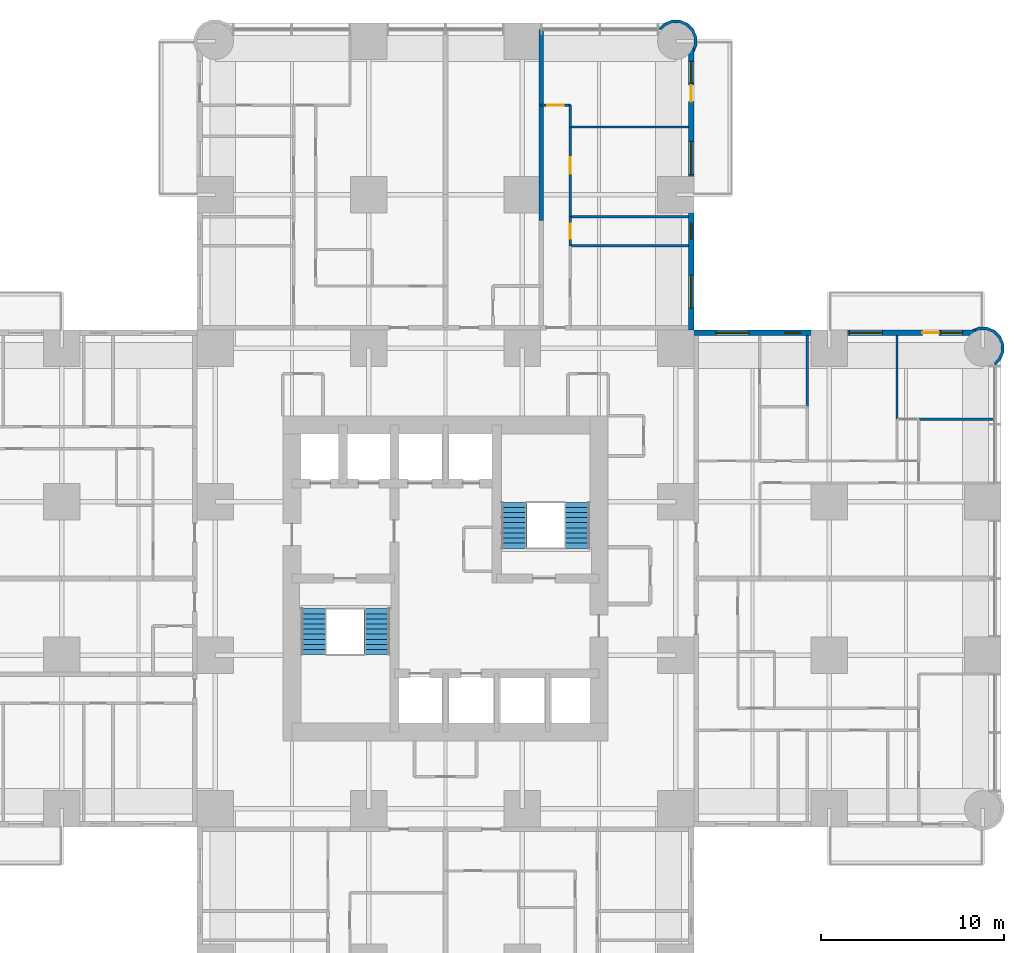
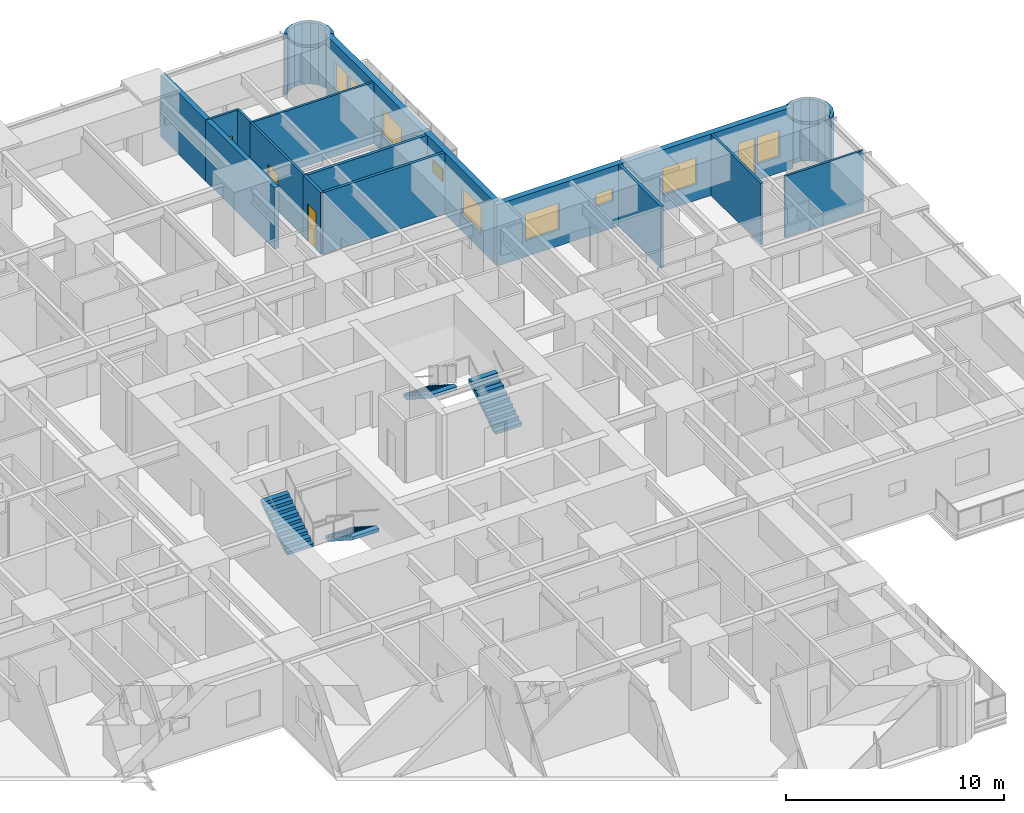
# One storey, part 15 of 17: 16 walls, 8 windows, 5 doors, 4 stair flights, 13 openings, 2 elements without a shape of their own.
"""IFC4 building model written with IfcOpenShell, lengths in metres."""

from ifc_helpers import new_model, si_unit, direction, frame, frame_2d, origin, place, context, subcontext, project, spatial, polyline, rectangle, outline, extrude, material, layer, layer_set, type_object, element, fill, aggregate, save


model = new_model("IFC4")

# Units and contexts
model_context = context("Model", 3, precision=1e-05, world=origin(), true_north=direction((0.0, 1.0)))
body_context = subcontext(model_context, "Body", "Model", "MODEL_VIEW")
ifc_project = project(units=[si_unit("LENGTHUNIT", "METRE"), si_unit("AREAUNIT", "SQUARE_METRE"), si_unit("VOLUMEUNIT", "CUBIC_METRE"), si_unit("PLANEANGLEUNIT", "RADIAN"), si_unit("MASSUNIT", "GRAM", prefix="KILO")], contexts=[model_context])

# Site, building, storey
site_placement = place(None, origin())
site = spatial("IfcSite", under=ifc_project, at=site_placement, CompositionType="ELEMENT")
building_placement = place(site_placement, origin())
building = spatial("IfcBuilding", under=site, at=building_placement, Name="Torre Alcanfor", CompositionType="ELEMENT")
storey_placement = place(building_placement, frame((0.0, 0.0, 95.699951171875)))
storey = spatial("IfcBuildingStorey", under=building, at=storey_placement, Name="L24", CompositionType="ELEMENT", Elevation=95.699951171875)

# Wall, opening, door
ifc_material_1 = material(Name="Gypsum board on steel studs", Category="steel")
ifc_layer_1 = layer(ifc_material_1, 0.1201171875)
ifc_layer_set_1 = layer_set([ifc_layer_1], Name="Apartment partition 120")
wall_type_1 = type_object("IfcWallType", Name="Apartment partition 120", PredefinedType="PARTITIONING", material=ifc_layer_set_1)
wall_1_placement = place(storey_placement, frame((36.22900390625, 54.10009765625, 0.0), z_axis=(0.0, 0.0, 1.0), x_axis=(0.0, -1.0, 0.0)))
wall_1 = element("IfcWall", 1, at=wall_1_placement, inside=storey, type_object=wall_type_1, Name="Partition L24-N2B-HALL / L24-N2B-MASTER", PredefinedType="PARTITIONING", context=body_context, shape_type="SweptSolid", body=[
    extrude(rectangle(XDim=4.900146484375, YDim=0.1201171875, at=frame_2d((2.4501953125, 0.0))), origin(), (0.0, 0.0, 1.0), 3.449951171875),
])
opening_1_placement = place(wall_1_placement, frame((1.64990234375, 0.0, 0.0)))
opening_1 = element("IfcOpeningElement", 2, at=opening_1_placement, cuts=wall_1, Name="Opening D-R1", PredefinedType="OPENING", context=body_context, shape_type="SweptSolid", body=[
    extrude(rectangle(XDim=0.89990234375, YDim=2.10009765625, at=frame_2d((0.449951171875, 1.050048828125))), frame((0.0, 0.070068359375, 0.0), z_axis=(0.0, -1.0, 0.0), x_axis=(1.0, 0.0, 0.0)), (0.0, 0.0, 1.0), 0.14013671875),
])
ifc_material_2 = material(Name="Timber", Category="wood")
door_type_1 = type_object("IfcDoorType", Name="Internal door 900x2100", OperationType="SINGLE_SWING_LEFT", PredefinedType="DOOR", material=ifc_material_2)
door_1_placement = place(opening_1_placement, origin())
door_1 = element("IfcDoor", 3, at=door_1_placement, inside=storey, type_object=door_type_1, Name="Door L24-N2B master", OperationType="SINGLE_SWING_LEFT", OverallHeight=2.10009765625, OverallWidth=0.89990234375, PredefinedType="DOOR", context=body_context, shape_type="SweptSolid", body=[
    extrude(rectangle(XDim=0.89990234375, YDim=2.10009765625, at=frame_2d((0.449951171875, 1.050048828125))), frame((0.0, 0.02490234375, 0.0), z_axis=(0.0, -1.0, 0.0), x_axis=(1.0, 0.0, 0.0)), (0.0, 0.0, 1.0), 0.050048828125),
])
fill(opening_1, door_1)

# Wall
wall_2_placement = place(storey_placement, frame((36.22900390625, 55.300048828125, 0.0), z_axis=(0.0, 0.0, 1.0), x_axis=(0.0, -1.0, 0.0)))
element("IfcWall", 4, at=wall_2_placement, inside=storey, type_object=wall_type_1, Name="Partition L24-N2B-HALL / L24-N2B-KITCHEN", PredefinedType="PARTITIONING", context=body_context, shape_type="SweptSolid", body=[
    extrude(rectangle(XDim=1.199951171875, YDim=0.1201171875, at=frame_2d((0.60009765625, 0.0))), origin(), (0.0, 0.0, 1.0), 3.449951171875),
])

# Wall, opening, door
wall_3_placement = place(storey_placement, frame((34.62890625, 55.300048828125, 0.0), z_axis=(0.0, 0.0, 1.0), x_axis=(1.0, 0.0, 0.0)))
wall_3 = element("IfcWall", 5, at=wall_3_placement, inside=storey, type_object=wall_type_1, Name="Partition L24-N2B-HALL / L24-N2B-LIVING", PredefinedType="PARTITIONING", context=body_context, shape_type="SweptSolid", body=[
    extrude(rectangle(XDim=1.60009765625, YDim=0.1201171875, at=frame_2d((0.800048828125, 0.0))), origin(), (0.0, 0.0, 1.0), 3.449951171875),
])
opening_2_placement = place(wall_3_placement, frame((0.35009765625, 0.0, 0.0)))
opening_2 = element("IfcOpeningElement", 6, at=opening_2_placement, cuts=wall_3, Name="Opening D-R1", PredefinedType="OPENING", context=body_context, shape_type="SweptSolid", body=[
    extrude(rectangle(XDim=0.89990234375, YDim=2.10009765625, at=frame_2d((0.449951171875, 1.050048828125))), frame((0.0, 0.070068359375, 0.0), z_axis=(0.0, -1.0, 0.0), x_axis=(1.0, 0.0, 0.0)), (0.0, 0.0, 1.0), 0.14013671875),
])
door_2_placement = place(opening_2_placement, origin())
door_2 = element("IfcDoor", 7, at=door_2_placement, inside=storey, type_object=door_type_1, Name="Door L24-N2B living", OperationType="SINGLE_SWING_LEFT", OverallHeight=2.10009765625, OverallWidth=0.89990234375, PredefinedType="DOOR", context=body_context, shape_type="SweptSolid", body=[
    extrude(rectangle(XDim=0.89990234375, YDim=2.10009765625, at=frame_2d((0.449951171875, 1.050048828125))), frame((0.0, 0.02490234375, 0.0), z_axis=(0.0, -1.0, 0.0), x_axis=(1.0, 0.0, 0.0)), (0.0, 0.0, 1.0), 0.050048828125),
])
fill(opening_2, door_2)

# Walls
wall_4_placement = place(storey_placement, frame((36.22900390625, 54.10009765625, 0.0), z_axis=(0.0, 0.0, 1.0), x_axis=(1.0, 0.0, 0.0)))
element("IfcWall", 8, at=wall_4_placement, inside=storey, type_object=wall_type_1, Name="Partition L24-N2B-MASTER / L24-N2B-KITCHEN", PredefinedType="PARTITIONING", context=body_context, shape_type="SweptSolid", body=[
    extrude(rectangle(XDim=6.470947265625, YDim=0.1201171875, at=frame_2d((3.2353515625, 0.0))), origin(), (0.0, 0.0, 1.0), 3.449951171875),
])
wall_5_placement = place(storey_placement, frame((54.10009765625, 38.114013671875, 0.0), z_axis=(0.0, 0.0, 1.0), x_axis=(0.0, 1.0, 0.0)))
element("IfcWall", 9, at=wall_5_placement, inside=storey, type_object=wall_type_1, Name="Partition L24-E1-BED3 / L24-E1-MASTER", PredefinedType="PARTITIONING", context=body_context, shape_type="SweptSolid", body=[
    extrude(rectangle(XDim=4.5859375, YDim=0.1201171875, at=frame_2d((2.29296875, 0.0))), origin(), (0.0, 0.0, 1.0), 3.449951171875),
])
wall_6_placement = place(storey_placement, frame((59.449951171875, 38.114013671875, 0.0), z_axis=(0.0, 0.0, 1.0), x_axis=(-1.0, 0.0, 0.0)))
element("IfcWall", 10, at=wall_6_placement, inside=storey, type_object=wall_type_1, Name="Partition L24-E1-BED2 / L24-E1-MASTER", PredefinedType="PARTITIONING", context=body_context, shape_type="SweptSolid", body=[
    extrude(rectangle(XDim=4.14990234375, YDim=0.1201171875, at=frame_2d((2.074951171875, 0.0))), origin(), (0.0, 0.0, 1.0), 3.449951171875),
])

# Wall, openings, door, windows
ifc_material_3 = material(Name="Limestone cladding", Category="masonry")
ifc_layer_2 = layer(ifc_material_3, 0.0400390625, Name="Facing")
ifc_material_4 = material(Name="Ventilated air cavity")
ifc_layer_3 = layer(ifc_material_4, 0.02001953125, ventilated=True, Name="Ventilated joint")
ifc_material_5 = material(Name="Mineral wool insulation", Category="insulation")
ifc_layer_4 = layer(ifc_material_5, 0.10009765625, Name="Insulation")
ifc_material_6 = material(Name="Concrete f'c 35 MPa", Category="concrete")
ifc_layer_5 = layer(ifc_material_6, 0.139892578125, Name="Backing")
ifc_layer_set_2 = layer_set([ifc_layer_2, ifc_layer_3, ifc_layer_4, ifc_layer_5], Name="External wall stone-clad 300")
wall_type_2 = type_object("IfcWallType", Name="External wall stone-clad 300", PredefinedType="SOLIDWALL", material=ifc_layer_set_2)
wall_7_placement = place(storey_placement, frame((58.39990234375, 42.85009765625, 0.0), z_axis=(0.0, 0.0, 1.0), x_axis=(-1.0, 0.0, 0.0)))
wall_7 = element("IfcWall", 11, at=wall_7_placement, inside=storey, type_object=wall_type_2, Name="External wall L24 9", PredefinedType="SOLIDWALL", context=body_context, shape_type="SweptSolid", body=[
    extrude(rectangle(XDim=15.699951171875, YDim=0.300048828125, at=frame_2d((7.85009765625, 0.0))), origin(), (0.0, 0.0, 1.0), 3.449951171875),
])
opening_3_placement = place(wall_7_placement, frame((12.39990234375, 0.0, 0.89990234375)))
opening_3 = element("IfcOpeningElement", 12, at=opening_3_placement, cuts=wall_7, Name="Opening W2", PredefinedType="OPENING", context=body_context, shape_type="SweptSolid", body=[
    extrude(rectangle(XDim=1.800048828125, YDim=1.5, at=frame_2d((0.89990234375, 0.75))), frame((0.0, 0.159912109375, 0.0), z_axis=(0.0, -1.0, 0.0), x_axis=(1.0, 0.0, 0.0)), (0.0, 0.0, 1.0), 0.320068359375),
])
opening_4_placement = place(wall_7_placement, frame((9.550048828125, 0.0, 1.5)))
opening_4 = element("IfcOpeningElement", 13, at=opening_4_placement, cuts=wall_7, Name="Opening W3", PredefinedType="OPENING", context=body_context, shape_type="SweptSolid", body=[
    extrude(rectangle(XDim=0.89990234375, YDim=0.699951171875, at=frame_2d((0.449951171875, 0.35009765625))), frame((0.0, 0.159912109375, 0.0), z_axis=(0.0, -1.0, 0.0), x_axis=(1.0, 0.0, 0.0)), (0.0, 0.0, 1.0), 0.320068359375),
])
opening_5_placement = place(wall_7_placement, frame((5.10009765625, 0.0, 0.89990234375)))
opening_5 = element("IfcOpeningElement", 14, at=opening_5_placement, cuts=wall_7, Name="Opening W2", PredefinedType="OPENING", context=body_context, shape_type="SweptSolid", body=[
    extrude(rectangle(XDim=1.800048828125, YDim=1.5, at=frame_2d((0.89990234375, 0.75))), frame((0.0, 0.159912109375, 0.0), z_axis=(0.0, -1.0, 0.0), x_axis=(1.0, 0.0, 0.0)), (0.0, 0.0, 1.0), 0.320068359375),
])
opening_6_placement = place(wall_7_placement, frame((2.0, 0.0, 0.0)))
opening_6 = element("IfcOpeningElement", 15, at=opening_6_placement, cuts=wall_7, Name="Opening D-B1", PredefinedType="OPENING", context=body_context, shape_type="SweptSolid", body=[
    extrude(rectangle(XDim=0.89990234375, YDim=2.39990234375, at=frame_2d((0.449951171875, 1.199951171875))), frame((0.0, 0.159912109375, 0.0), z_axis=(0.0, -1.0, 0.0), x_axis=(1.0, 0.0, 0.0)), (0.0, 0.0, 1.0), 0.320068359375),
])
opening_7_placement = place(wall_7_placement, frame((0.699951171875, 0.0, 0.89990234375)))
opening_7 = element("IfcOpeningElement", 16, at=opening_7_placement, cuts=wall_7, Name="Opening W4", PredefinedType="OPENING", context=body_context, shape_type="SweptSolid", body=[
    extrude(rectangle(XDim=1.199951171875, YDim=1.5, at=frame_2d((0.60009765625, 0.75))), frame((0.0, 0.159912109375, 0.0), z_axis=(0.0, -1.0, 0.0), x_axis=(1.0, 0.0, 0.0)), (0.0, 0.0, 1.0), 0.320068359375),
])
ifc_material_7 = material(Name="Aluminium and glass", Category="aluminium")
door_type_2 = type_object("IfcDoorType", Name="Balcony door glazed 900x2400", OperationType="SINGLE_SWING_LEFT", PredefinedType="DOOR", material=ifc_material_7)
door_3_placement = place(opening_6_placement, origin())
door_3 = element("IfcDoor", 17, at=door_3_placement, inside=storey, type_object=door_type_2, Name="Balcony door L24-E1", OperationType="SINGLE_SWING_RIGHT", OverallHeight=2.39990234375, OverallWidth=0.89990234375, PredefinedType="DOOR", context=body_context, shape_type="SweptSolid", body=[
    extrude(rectangle(XDim=0.89990234375, YDim=2.39990234375, at=frame_2d((0.449951171875, 1.199951171875))), frame((0.0, 0.02490234375, 0.0), z_axis=(0.0, -1.0, 0.0), x_axis=(1.0, 0.0, 0.0)), (0.0, 0.0, 1.0), 0.050048828125),
])
fill(opening_6, door_3)
ifc_material_8 = material(Name="Aluminium frame with clear double glazing", Category="aluminium")
window_type_1 = type_object("IfcWindowType", Name="Window bathroom 900x700", PartitioningType="SINGLE_PANEL", PredefinedType="WINDOW", material=ifc_material_8)
window_1_placement = place(opening_4_placement, origin())
window_1 = element("IfcWindow", 18, at=window_1_placement, inside=storey, type_object=window_type_1, Name="Window W3 L24-E1", OverallHeight=0.699951171875, OverallWidth=0.89990234375, PartitioningType="SINGLE_PANEL", PredefinedType="WINDOW", context=body_context, shape_type="SweptSolid", body=[
    extrude(rectangle(XDim=0.89990234375, YDim=0.699951171875, at=frame_2d((0.449951171875, 0.35009765625))), frame((0.0, 0.030029296875, 0.0), z_axis=(0.0, -1.0, 0.0), x_axis=(1.0, 0.0, 0.0)), (0.0, 0.0, 1.0), 0.06005859375),
])
fill(opening_4, window_1)
ifc_material_9 = material(Name="Aluminium frame with clear double glazing", Category="aluminium")
window_type_2 = type_object("IfcWindowType", Name="Window bedroom 1200x1500", PartitioningType="SINGLE_PANEL", PredefinedType="WINDOW", material=ifc_material_9)
window_2_placement = place(opening_7_placement, origin())
window_2 = element("IfcWindow", 19, at=window_2_placement, inside=storey, type_object=window_type_2, Name="Window W4 L24-E1", OverallHeight=1.5, OverallWidth=1.199951171875, PartitioningType="SINGLE_PANEL", PredefinedType="WINDOW", context=body_context, shape_type="SweptSolid", body=[
    extrude(rectangle(XDim=1.199951171875, YDim=1.5, at=frame_2d((0.60009765625, 0.75))), frame((0.0, 0.030029296875, 0.0), z_axis=(0.0, -1.0, 0.0), x_axis=(1.0, 0.0, 0.0)), (0.0, 0.0, 1.0), 0.06005859375),
])
fill(opening_7, window_2)
ifc_material_10 = material(Name="Aluminium frame with clear double glazing", Category="aluminium")
window_type_3 = type_object("IfcWindowType", Name="Window bedroom 1800x1500", PartitioningType="SINGLE_PANEL", PredefinedType="WINDOW", material=ifc_material_10)
window_3_placement = place(opening_3_placement, origin())
window_3 = element("IfcWindow", 20, at=window_3_placement, inside=storey, type_object=window_type_3, Name="Window W2 L24-E1", OverallHeight=1.5, OverallWidth=1.800048828125, PartitioningType="SINGLE_PANEL", PredefinedType="WINDOW", context=body_context, shape_type="SweptSolid", body=[
    extrude(rectangle(XDim=1.800048828125, YDim=1.5, at=frame_2d((0.89990234375, 0.75))), frame((0.0, 0.030029296875, 0.0), z_axis=(0.0, -1.0, 0.0), x_axis=(1.0, 0.0, 0.0)), (0.0, 0.0, 1.0), 0.06005859375),
])
fill(opening_3, window_3)
window_4_placement = place(opening_5_placement, origin())
window_4 = element("IfcWindow", 21, at=window_4_placement, inside=storey, type_object=window_type_3, Name="Window W2 L24-E1", OverallHeight=1.5, OverallWidth=1.800048828125, PartitioningType="SINGLE_PANEL", PredefinedType="WINDOW", context=body_context, shape_type="SweptSolid", body=[
    extrude(rectangle(XDim=1.800048828125, YDim=1.5, at=frame_2d((0.89990234375, 0.75))), frame((0.0, 0.030029296875, 0.0), z_axis=(0.0, -1.0, 0.0), x_axis=(1.0, 0.0, 0.0)), (0.0, 0.0, 1.0), 0.06005859375),
])
fill(opening_5, window_4)

wall_8_placement = place(storey_placement, frame((42.85009765625, 43.0, 0.0), z_axis=(0.0, 0.0, 1.0), x_axis=(0.0, 1.0, 0.0)))
wall_8 = element("IfcWall", 22, at=wall_8_placement, inside=storey, type_object=wall_type_2, Name="External wall L24 10", PredefinedType="SOLIDWALL", context=body_context, shape_type="SweptSolid", body=[
    extrude(rectangle(XDim=15.39990234375, YDim=0.300048828125, at=frame_2d((7.699951171875, 0.0))), origin(), (0.0, 0.0, 1.0), 3.449951171875),
])
opening_8_placement = place(wall_8_placement, frame((1.199951171875, 0.0, 0.89990234375)))
opening_8 = element("IfcOpeningElement", 23, at=opening_8_placement, cuts=wall_8, Name="Opening W2", PredefinedType="OPENING", context=body_context, shape_type="SweptSolid", body=[
    extrude(rectangle(XDim=1.800048828125, YDim=1.5, at=frame_2d((0.89990234375, 0.75))), frame((0.0, 0.159912109375, 0.0), z_axis=(0.0, -1.0, 0.0), x_axis=(1.0, 0.0, 0.0)), (0.0, 0.0, 1.0), 0.320068359375),
])
opening_9_placement = place(wall_8_placement, frame((4.949951171875, 0.0, 1.5)))
opening_9 = element("IfcOpeningElement", 24, at=opening_9_placement, cuts=wall_8, Name="Opening W3", PredefinedType="OPENING", context=body_context, shape_type="SweptSolid", body=[
    extrude(rectangle(XDim=0.89990234375, YDim=0.699951171875, at=frame_2d((0.449951171875, 0.35009765625))), frame((0.0, 0.159912109375, 0.0), z_axis=(0.0, -1.0, 0.0), x_axis=(1.0, 0.0, 0.0)), (0.0, 0.0, 1.0), 0.320068359375),
])
opening_10_placement = place(wall_8_placement, frame((8.5, 0.0, 0.89990234375)))
opening_10 = element("IfcOpeningElement", 25, at=opening_10_placement, cuts=wall_8, Name="Opening W2", PredefinedType="OPENING", context=body_context, shape_type="SweptSolid", body=[
    extrude(rectangle(XDim=1.800048828125, YDim=1.5, at=frame_2d((0.89990234375, 0.75))), frame((0.0, 0.159912109375, 0.0), z_axis=(0.0, -1.0, 0.0), x_axis=(1.0, 0.0, 0.0)), (0.0, 0.0, 1.0), 0.320068359375),
])
opening_11_placement = place(wall_8_placement, frame((12.5, 0.0, 0.0)))
opening_11 = element("IfcOpeningElement", 26, at=opening_11_placement, cuts=wall_8, Name="Opening D-B1", PredefinedType="OPENING", context=body_context, shape_type="SweptSolid", body=[
    extrude(rectangle(XDim=0.89990234375, YDim=2.39990234375, at=frame_2d((0.449951171875, 1.199951171875))), frame((0.0, 0.159912109375, 0.0), z_axis=(0.0, -1.0, 0.0), x_axis=(1.0, 0.0, 0.0)), (0.0, 0.0, 1.0), 0.320068359375),
])
opening_12_placement = place(wall_8_placement, frame((13.5, 0.0, 0.89990234375)))
opening_12 = element("IfcOpeningElement", 27, at=opening_12_placement, cuts=wall_8, Name="Opening W4", PredefinedType="OPENING", context=body_context, shape_type="SweptSolid", body=[
    extrude(rectangle(XDim=1.199951171875, YDim=1.5, at=frame_2d((0.60009765625, 0.75))), frame((0.0, 0.159912109375, 0.0), z_axis=(0.0, -1.0, 0.0), x_axis=(1.0, 0.0, 0.0)), (0.0, 0.0, 1.0), 0.320068359375),
])
door_4_placement = place(opening_11_placement, origin())
door_4 = element("IfcDoor", 28, at=door_4_placement, inside=storey, type_object=door_type_2, Name="Balcony door L24-N2", OperationType="SINGLE_SWING_LEFT", OverallHeight=2.39990234375, OverallWidth=0.89990234375, PredefinedType="DOOR", context=body_context, shape_type="SweptSolid", body=[
    extrude(rectangle(XDim=0.89990234375, YDim=2.39990234375, at=frame_2d((0.449951171875, 1.199951171875))), frame((0.0, 0.02490234375, 0.0), z_axis=(0.0, -1.0, 0.0), x_axis=(1.0, 0.0, 0.0)), (0.0, 0.0, 1.0), 0.050048828125),
])
fill(opening_11, door_4)
window_5_placement = place(opening_9_placement, origin())
window_5 = element("IfcWindow", 29, at=window_5_placement, inside=storey, type_object=window_type_1, Name="Window W3 L24-N2", OverallHeight=0.699951171875, OverallWidth=0.89990234375, PartitioningType="SINGLE_PANEL", PredefinedType="WINDOW", context=body_context, shape_type="SweptSolid", body=[
    extrude(rectangle(XDim=0.89990234375, YDim=0.699951171875, at=frame_2d((0.449951171875, 0.35009765625))), frame((0.0, 0.030029296875, 0.0), z_axis=(0.0, -1.0, 0.0), x_axis=(1.0, 0.0, 0.0)), (0.0, 0.0, 1.0), 0.06005859375),
])
fill(opening_9, window_5)
window_6_placement = place(opening_12_placement, origin())
window_6 = element("IfcWindow", 30, at=window_6_placement, inside=storey, type_object=window_type_2, Name="Window W4 L24-N2", OverallHeight=1.5, OverallWidth=1.199951171875, PartitioningType="SINGLE_PANEL", PredefinedType="WINDOW", context=body_context, shape_type="SweptSolid", body=[
    extrude(rectangle(XDim=1.199951171875, YDim=1.5, at=frame_2d((0.60009765625, 0.75))), frame((0.0, 0.030029296875, 0.0), z_axis=(0.0, -1.0, 0.0), x_axis=(1.0, 0.0, 0.0)), (0.0, 0.0, 1.0), 0.06005859375),
])
fill(opening_12, window_6)
window_7_placement = place(opening_8_placement, origin())
window_7 = element("IfcWindow", 31, at=window_7_placement, inside=storey, type_object=window_type_3, Name="Window W2 L24-N2", OverallHeight=1.5, OverallWidth=1.800048828125, PartitioningType="SINGLE_PANEL", PredefinedType="WINDOW", context=body_context, shape_type="SweptSolid", body=[
    extrude(rectangle(XDim=1.800048828125, YDim=1.5, at=frame_2d((0.89990234375, 0.75))), frame((0.0, 0.030029296875, 0.0), z_axis=(0.0, -1.0, 0.0), x_axis=(1.0, 0.0, 0.0)), (0.0, 0.0, 1.0), 0.06005859375),
])
fill(opening_8, window_7)
window_8_placement = place(opening_10_placement, origin())
window_8 = element("IfcWindow", 32, at=window_8_placement, inside=storey, type_object=window_type_3, Name="Window W2 L24-N2", OverallHeight=1.5, OverallWidth=1.800048828125, PartitioningType="SINGLE_PANEL", PredefinedType="WINDOW", context=body_context, shape_type="SweptSolid", body=[
    extrude(rectangle(XDim=1.800048828125, YDim=1.5, at=frame_2d((0.89990234375, 0.75))), frame((0.0, 0.030029296875, 0.0), z_axis=(0.0, -1.0, 0.0), x_axis=(1.0, 0.0, 0.0)), (0.0, 0.0, 1.0), 0.06005859375),
])
fill(opening_10, window_8)

# Walls
ifc_material_11 = material(Name="Concrete block masonry, hollow blocks NMX-C-404 9 MPa", Category="masonry")
ifc_layer_6 = layer(ifc_material_11, 0.25)
ifc_layer_set_3 = layer_set([ifc_layer_6], Name="Party wall 250 EI 60")
wall_type_3 = type_object("IfcWallType", Name="Party wall 250 EI 60", PredefinedType="PARTITIONING", material=ifc_layer_set_3)
wall_9_placement = place(storey_placement, frame((34.62890625, 55.300048828125, 0.0), z_axis=(0.0, 0.0, 1.0), x_axis=(0.0, -1.0, 0.0)))
element("IfcWall", 33, at=wall_9_placement, inside=storey, type_object=wall_type_3, Name="Partition L24-N2A-STUDIO / L24-N2B-HALL", PredefinedType="PARTITIONING", context=body_context, shape_type="SweptSolid", body=[
    extrude(rectangle(XDim=6.300048828125, YDim=0.25, at=frame_2d((3.14990234375, 0.0))), origin(), (0.0, 0.0, 1.0), 3.449951171875),
])
wall_10_placement = place(storey_placement, frame((34.62890625, 59.449951171875, 0.0), z_axis=(0.0, 0.0, 1.0), x_axis=(0.0, -1.0, 0.0)))
element("IfcWall", 34, at=wall_10_placement, inside=storey, type_object=wall_type_3, Name="Partition L24-N2A-STUDIO / L24-N2B-LIVING", PredefinedType="PARTITIONING", context=body_context, shape_type="SweptSolid", body=[
    extrude(rectangle(XDim=4.14990234375, YDim=0.25, at=frame_2d((2.074951171875, 0.0))), origin(), (0.0, 0.0, 1.0), 3.449951171875),
])
ifc_layer_7 = layer(ifc_material_3, 0.0400390625, Name="Facing")
ifc_layer_8 = layer(ifc_material_4, 0.02001953125, ventilated=True, Name="Ventilated joint")
ifc_layer_9 = layer(ifc_material_5, 0.10009765625, Name="Insulation")
ifc_layer_10 = layer(ifc_material_6, 0.139892578125, Name="Backing")
ifc_layer_set_4 = layer_set([ifc_layer_7, ifc_layer_8, ifc_layer_9, ifc_layer_10], Name="Rounded corner pier stone-clad 300")
wall_type_4 = type_object("IfcWallType", Name="Rounded corner pier stone-clad 300", PredefinedType="SOLIDWALL", material=ifc_layer_set_4)
wall_11_placement = place(storey_placement, frame((59.443275148, 41.132476465, 0.0), z_axis=(0.0, 0.0, 1.0), x_axis=(0.831199417842, 0.555974394895, 0.0)))
element("IfcWall", 35, at=wall_11_placement, inside=storey, type_object=wall_type_4, Name="Corner pier L24 18", PredefinedType="SOLIDWALL", context=body_context, shape_type="SweptSolid", body=[
    extrude(outline(polyline([(0.7835193401086837, 0.24205256771245343), (1.0400602596279205, 0.6255894084649389), (1.1303371430229154, 1.0780414765952286), (1.0404992876319876, 1.5308372255281877), (0.7843213833243519, 1.9145502315306397), (0.40078454257186635, 2.1710911510498763), (-0.009157036452224432, 2.2529065499845613), (0.17104439983783215, 2.132373038591396), (0.11338764744446561, 2.06637397350674), (0.3385983594237434, 2.0214740812361995), (0.6695764479249623, 1.8000887692066359), (0.8906920485778681, 1.4689066769605825), (0.9682334735001796, 1.0780867111650443), (0.8904431898142434, 0.6877755916130619), (0.6689221418484262, 0.3565945735664713), (0.3378757855386265, 0.13568190245893724), (0.06220208349567317, 0.08098630463678677), (-0.03579926247940035, -0.0655288271215701), (0.0045837170495650476, -0.09254027843602942), (0.3998063341062316, -0.014125336595182225), (0.7835193401086837, 0.24205256771245343)])), origin(), (0.0, 0.0, 1.0), 3.449951171875),
])
wall_12_placement = place(storey_placement, frame((42.919127633, 58.23289825, 0.0), z_axis=(0.0, 0.0, 1.0), x_axis=(0.555974394895, 0.831199417842, 0.0)))
element("IfcWall", 36, at=wall_12_placement, inside=storey, type_object=wall_type_4, Name="Corner pier L24 19", PredefinedType="SOLIDWALL", context=body_context, shape_type="SweptSolid", body=[
    extrude(outline(polyline([(0.41351681354285524, -0.01308917686083888), (0.7970536542953407, 0.24345174265839792), (1.0532315586029763, 0.6271647486608499), (1.1430694139939042, 1.0799604975938089), (1.052792530598909, 1.5324125657240988), (0.7962516110796724, 1.9159494064765843), (0.4125386050772204, 2.17212731078422), (0.017315988020553785, 2.250542252625067), (-0.023066991508411627, 2.223530801310608), (0.07493435446666197, 2.077015669552251), (0.35060805650961524, 2.0223200717301006), (0.6816544128194151, 1.8014074006225664), (0.9031754607852323, 1.4702263825759758), (0.9809657444711684, 1.0799152630239934), (0.9034243195488569, 0.689095297228455), (0.6823087188959511, 0.35791320498240176), (0.3513306303947322, 0.13652789295283813), (0.12611991841545442, 0.09162800068229741), (0.18377667080882087, 0.025628935597641372), (0.0035752345187642226, -0.09490457579552383), (0.41351681354285524, -0.01308917686083888)])), origin(), (0.0, 0.0, 1.0), 3.449951171875),
])

# Wall, opening, door
ifc_material_12 = material(Name="Cement board on steel studs", Category="steel")
ifc_layer_11 = layer(ifc_material_12, 0.14990234375)
ifc_layer_set_5 = layer_set([ifc_layer_11], Name="Wet area partition 150")
wall_type_5 = type_object("IfcWallType", Name="Wet area partition 150", PredefinedType="PARTITIONING", material=ifc_layer_set_5)
wall_13_placement = place(storey_placement, frame((36.22900390625, 49.199951171875, 0.0), z_axis=(0.0, 0.0, 1.0), x_axis=(0.0, -1.0, 0.0)))
wall_13 = element("IfcWall", 37, at=wall_13_placement, inside=storey, type_object=wall_type_5, Name="Partition L24-N2B-HALL / L24-N2B-BATH", PredefinedType="PARTITIONING", context=body_context, shape_type="SweptSolid", body=[
    extrude(rectangle(XDim=1.599853515625, YDim=0.14990234375, at=frame_2d((0.7998046875, 0.0))), origin(), (0.0, 0.0, 1.0), 3.449951171875),
])
opening_13_placement = place(wall_13_placement, frame((0.39990234375, 0.0, 0.0)))
opening_13 = element("IfcOpeningElement", 38, at=opening_13_placement, cuts=wall_13, Name="Opening D-R2", PredefinedType="OPENING", context=body_context, shape_type="SweptSolid", body=[
    extrude(rectangle(XDim=0.800048828125, YDim=2.10009765625, at=frame_2d((0.39990234375, 1.050048828125))), frame((0.0, 0.0849609375, 0.0), z_axis=(0.0, -1.0, 0.0), x_axis=(1.0, 0.0, 0.0)), (0.0, 0.0, 1.0), 0.169921875),
])
ifc_material_13 = material(Name="Timber", Category="wood")
door_type_3 = type_object("IfcDoorType", Name="Bathroom door 800x2100", OperationType="SINGLE_SWING_LEFT", PredefinedType="DOOR", material=ifc_material_13)
door_5_placement = place(opening_13_placement, origin())
door_5 = element("IfcDoor", 39, at=door_5_placement, inside=storey, type_object=door_type_3, Name="Door L24-N2B bath", OperationType="SINGLE_SWING_LEFT", OverallHeight=2.10009765625, OverallWidth=0.800048828125, PredefinedType="DOOR", context=body_context, shape_type="SweptSolid", body=[
    extrude(rectangle(XDim=0.800048828125, YDim=2.10009765625, at=frame_2d((0.39990234375, 1.050048828125))), frame((0.0, 0.02490234375, 0.0), z_axis=(0.0, -1.0, 0.0), x_axis=(1.0, 0.0, 0.0)), (0.0, 0.0, 1.0), 0.050048828125),
])
fill(opening_13, door_5)

# Walls
for number, where, z_axis, x_axis, name in (
    (40, (36.22900390625, 47.60009765625, 0.0), (0.0, 0.0, 1.0), (1.0, 0.0, 0.0), "Partition L24-N2B-BED2 / L24-N2B-BATH"),
    (41, (36.22900390625, 49.199951171875, 0.0), (0.0, 0.0, 1.0), (1.0, 0.0, 0.0), "Partition L24-N2B-BATH / L24-N2B-MASTER"),
):
    element("IfcWall", number, at=place(storey_placement, frame(where, z_axis=z_axis, x_axis=x_axis)), inside=storey, type_object=wall_type_5, Name=name, PredefinedType="PARTITIONING", context=body_context, shape_type="SweptSolid", body=[
        extrude(rectangle(XDim=6.470947265625, YDim=0.14990234375, at=frame_2d((3.2353515625, 0.0))), origin(), (0.0, 0.0, 1.0), 3.449951171875),
    ])
wall_14_placement = place(storey_placement, frame((49.199951171875, 38.800048828125, 0.0), z_axis=(0.0, 0.0, 1.0), x_axis=(0.0, 1.0, 0.0)))
element("IfcWall", 42, at=wall_14_placement, inside=storey, type_object=wall_type_5, Name="Partition L24-E1-SBATH / L24-E1-BED3", PredefinedType="PARTITIONING", context=body_context, shape_type="SweptSolid", body=[
    extrude(rectangle(XDim=3.89990234375, YDim=0.14990234375, at=frame_2d((1.949951171875, 0.0))), origin(), (0.0, 0.0, 1.0), 3.449951171875),
])

# Stair, stair flights
ifc_material_14 = material(Name="Concrete f'c 35 MPa", Category="concrete")
stair_type_1 = type_object("IfcStairType", Name="Exit stair S1 1400 wide", PredefinedType="HALF_TURN_STAIR", material=ifc_material_14)
stair_1_placement = place(storey_placement, origin())
stair_1 = element("IfcStair", 43, at=stair_1_placement, inside=storey, type_object=stair_type_1, Name="Stair S1 L24 to L25", PredefinedType="HALF_TURN_STAIR")
ifc_material_15 = material(Name="Concrete f'c 35 MPa", Category="concrete")
stair_flight_type = type_object("IfcStairFlightType", Name="Stair flight 1400", PredefinedType="STRAIGHT", material=ifc_material_15)
stair_flight_1_placement = place(storey_placement, frame((25.64990234375, 27.75, 0.0), z_axis=(0.0, 0.0, 1.0), x_axis=(0.0, -1.0, 0.0)))
stair_flight_1 = element("IfcStairFlight", 44, at=stair_flight_1_placement, type_object=stair_flight_type, Name="S1 flight 1", NumberOfRisers=10, NumberOfTreads=9, PredefinedType="STRAIGHT", RiserHeight=0.18, TreadLength=0.28, context=body_context, shape_type="SweptSolid", body=[
    extrude(outline(polyline([(0.0, 0.0), (0.0, 0.179931640625), (0.280029296875, 0.179931640625), (0.280029296875, 0.360107421875), (0.56005859375, 0.360107421875), (0.56005859375, 0.5400390625), (0.840087890625, 0.5400390625), (0.840087890625, 0.719970703125), (1.1201171875, 0.719970703125), (1.1201171875, 0.89990234375), (1.39990234375, 0.89990234375), (1.39990234375, 1.080078125), (1.679931640625, 1.080078125), (1.679931640625, 1.260009765625), (1.9599609375, 1.260009765625), (1.9599609375, 1.43994140625), (2.239990234375, 1.43994140625), (2.239990234375, 1.6201171875), (2.52001953125, 1.6201171875), (2.52001953125, 1.800048828125), (2.52001953125, 1.44189453125), (0.277099609375, 0.0), (0.0, 0.0)])), frame((0.0, 0.699951171875, 0.0), z_axis=(0.0, -1.0, 0.0), x_axis=(1.0, 0.0, 0.0)), (0.0, 0.0, 1.0), 1.39990234375),
])
stair_flight_2_placement = place(storey_placement, frame((22.199951171875, 25.22998046875, 1.800048828125), z_axis=(0.0, 0.0, 1.0), x_axis=(0.0, 1.0, 0.0)))
stair_flight_2 = element("IfcStairFlight", 45, at=stair_flight_2_placement, type_object=stair_flight_type, Name="S1 flight 2", NumberOfRisers=10, NumberOfTreads=9, PredefinedType="STRAIGHT", RiserHeight=0.18, TreadLength=0.28, context=body_context, shape_type="SweptSolid", body=[
    extrude(outline(polyline([(0.0, 0.0), (0.0, 0.179931640625), (0.280029296875, 0.179931640625), (0.280029296875, 0.360107421875), (0.56005859375, 0.360107421875), (0.56005859375, 0.5400390625), (0.840087890625, 0.5400390625), (0.840087890625, 0.719970703125), (1.1201171875, 0.719970703125), (1.1201171875, 0.89990234375), (1.39990234375, 0.89990234375), (1.39990234375, 1.080078125), (1.679931640625, 1.080078125), (1.679931640625, 1.260009765625), (1.9599609375, 1.260009765625), (1.9599609375, 1.43994140625), (2.239990234375, 1.43994140625), (2.239990234375, 1.6201171875), (2.52001953125, 1.6201171875), (2.52001953125, 1.800048828125), (2.52001953125, 1.44189453125), (0.277099609375, 0.0), (0.0, 0.0)])), frame((0.0, 0.699951171875, 0.0), z_axis=(0.0, -1.0, 0.0), x_axis=(1.0, 0.0, 0.0)), (0.0, 0.0, 1.0), 1.39990234375),
])
aggregate(stair_1, [stair_flight_1, stair_flight_2])

ifc_material_16 = material(Name="Concrete f'c 35 MPa", Category="concrete")
stair_type_2 = type_object("IfcStairType", Name="Exit stair S2 1400 wide", PredefinedType="HALF_TURN_STAIR", material=ifc_material_16)
stair_2_placement = place(storey_placement, origin())
stair_2 = element("IfcStair", 46, at=stair_2_placement, inside=storey, type_object=stair_type_2, Name="Stair S2 L24 to L25", PredefinedType="HALF_TURN_STAIR")
stair_flight_3_placement = place(storey_placement, frame((36.60009765625, 31.050048828125, 0.0), z_axis=(0.0, 0.0, 1.0), x_axis=(0.0, 1.0, 0.0)))
stair_flight_3 = element("IfcStairFlight", 47, at=stair_flight_3_placement, type_object=stair_flight_type, Name="S2 flight 1", NumberOfRisers=10, NumberOfTreads=9, PredefinedType="STRAIGHT", RiserHeight=0.18, TreadLength=0.28, context=body_context, shape_type="SweptSolid", body=[
    extrude(outline(polyline([(0.0, 0.0), (0.0, 0.179931640625), (0.280029296875, 0.179931640625), (0.280029296875, 0.360107421875), (0.56005859375, 0.360107421875), (0.56005859375, 0.5400390625), (0.840087890625, 0.5400390625), (0.840087890625, 0.719970703125), (1.1201171875, 0.719970703125), (1.1201171875, 0.89990234375), (1.39990234375, 0.89990234375), (1.39990234375, 1.080078125), (1.679931640625, 1.080078125), (1.679931640625, 1.260009765625), (1.9599609375, 1.260009765625), (1.9599609375, 1.43994140625), (2.239990234375, 1.43994140625), (2.239990234375, 1.6201171875), (2.52001953125, 1.6201171875), (2.52001953125, 1.800048828125), (2.52001953125, 1.44189453125), (0.277099609375, 0.0), (0.0, 0.0)])), frame((0.0, 0.699951171875, 0.0), z_axis=(0.0, -1.0, 0.0), x_axis=(1.0, 0.0, 0.0)), (0.0, 0.0, 1.0), 1.39990234375),
])
stair_flight_4_placement = place(storey_placement, frame((33.14990234375, 33.570068359375, 1.800048828125), z_axis=(0.0, 0.0, 1.0), x_axis=(0.0, -1.0, 0.0)))
stair_flight_4 = element("IfcStairFlight", 48, at=stair_flight_4_placement, type_object=stair_flight_type, Name="S2 flight 2", NumberOfRisers=10, NumberOfTreads=9, PredefinedType="STRAIGHT", RiserHeight=0.18, TreadLength=0.28, context=body_context, shape_type="SweptSolid", body=[
    extrude(outline(polyline([(0.0, 0.0), (0.0, 0.179931640625), (0.280029296875, 0.179931640625), (0.280029296875, 0.360107421875), (0.56005859375, 0.360107421875), (0.56005859375, 0.5400390625), (0.840087890625, 0.5400390625), (0.840087890625, 0.719970703125), (1.1201171875, 0.719970703125), (1.1201171875, 0.89990234375), (1.39990234375, 0.89990234375), (1.39990234375, 1.080078125), (1.679931640625, 1.080078125), (1.679931640625, 1.260009765625), (1.9599609375, 1.260009765625), (1.9599609375, 1.43994140625), (2.239990234375, 1.43994140625), (2.239990234375, 1.6201171875), (2.52001953125, 1.6201171875), (2.52001953125, 1.800048828125), (2.52001953125, 1.44189453125), (0.277099609375, 0.0), (0.0, 0.0)])), frame((0.0, 0.699951171875, 0.0), z_axis=(0.0, -1.0, 0.0), x_axis=(1.0, 0.0, 0.0)), (0.0, 0.0, 1.0), 1.39990234375),
])
aggregate(stair_2, [stair_flight_3, stair_flight_4])

save(model, "model.ifc")
